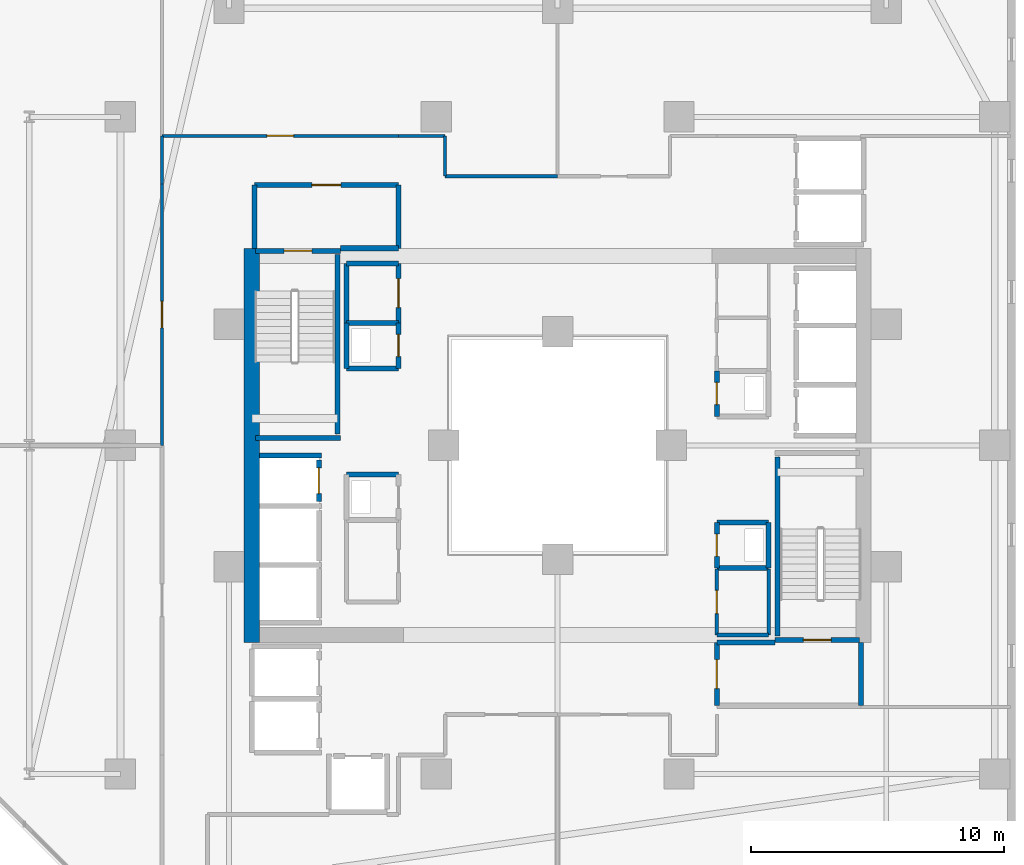
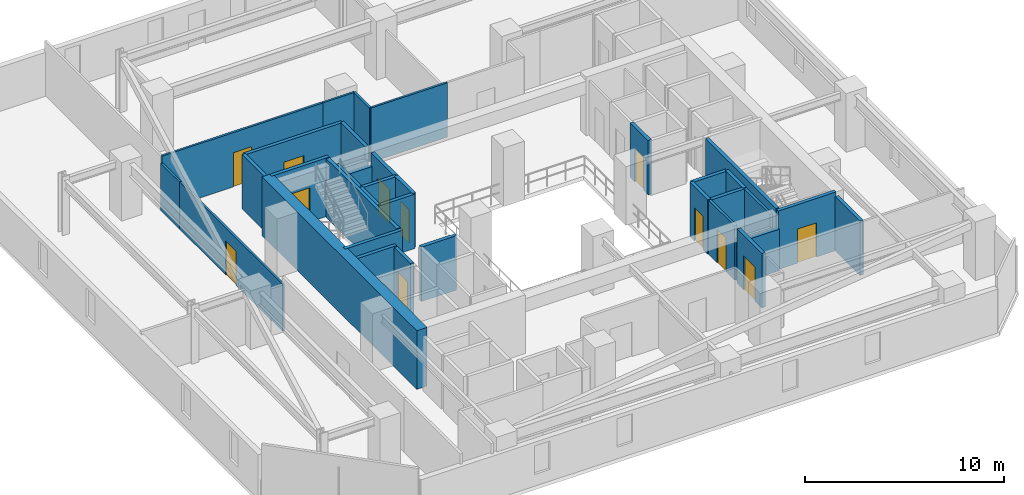
# One storey, part 21 of 30: 37 walls, 12 doors, 12 openings.
"""IFC4 building model written with IfcOpenShell, lengths in metres."""

from ifc_helpers import new_model, si_unit, direction, frame, frame_2d, origin, place, context, subcontext, project, spatial, rectangle, extrude, material, layer, layer_set, type_object, element, fill, save


model = new_model("IFC4")

# Units and contexts
model_context = context("Model", 3, precision=1e-05, world=origin(), true_north=direction((0.0, 1.0)))
body_context = subcontext(model_context, "Body", "Model", "MODEL_VIEW")
ifc_project = project(units=[si_unit("LENGTHUNIT", "METRE"), si_unit("AREAUNIT", "SQUARE_METRE"), si_unit("VOLUMEUNIT", "CUBIC_METRE"), si_unit("PLANEANGLEUNIT", "RADIAN"), si_unit("MASSUNIT", "GRAM", prefix="KILO")], contexts=[model_context])

# Site, building, storey
site_placement = place(None, origin())
site = spatial("IfcSite", under=ifc_project, at=site_placement, CompositionType="ELEMENT")
building_placement = place(site_placement, origin())
building = spatial("IfcBuilding", under=site, at=building_placement, Name="Thornwick Lancets Civic Towers", CompositionType="ELEMENT")
storey_placement = place(building_placement, frame((0.0, 0.0, 80.10009765625)))
storey = spatial("IfcBuildingStorey", under=building, at=storey_placement, Name="L20", CompositionType="ELEMENT", Elevation=80.10009765625)

# Wall, opening, door
ifc_material_1 = material(Name="Concrete blockwork C40/50", Category="masonry")
ifc_layer_1 = layer(ifc_material_1, 0.199951171875, Name="Concrete blockwork C40/50")
ifc_layer_set_1 = layer_set([ifc_layer_1], Name="Concrete blockwork C40/50")
wall_type_1 = type_object("IfcWallType", Name="WALL_COMP_200", PredefinedType="STANDARD", material=ifc_layer_set_1)
wall_1_placement = place(storey_placement, frame((79.050048828125, 24.780029296875, 0.0), z_axis=(0.0, 0.0, 1.0), x_axis=(0.0, 1.0, 0.0)))
wall_1 = element("IfcWall", 1, at=wall_1_placement, inside=storey, type_object=wall_type_1, Name="L20 Hoistway Front Wall FL-B2", PredefinedType="STANDARD", context=body_context, shape_type="SweptSolid", body=[
    extrude(rectangle(XDim=1.639892578125, YDim=0.199951171875, at=frame_2d((0.81982421875, 0.0))), origin(), (0.0, 0.0, 1.0), 3.33984375),
])
opening_1_placement = place(wall_1_placement, frame((0.31005859375, 0.0, 0.0)))
opening_1 = element("IfcOpeningElement", 2, at=opening_1_placement, cuts=wall_1, Name="Opening LD-FL-B2", PredefinedType="OPENING", context=body_context, shape_type="SweptSolid", body=[
    extrude(rectangle(XDim=1.02001953125, YDim=2.06005859375, at=frame_2d((0.510009765625, 1.030029296875))), frame((0.0, 0.10986328125, 0.0), z_axis=(0.0, -1.0, 0.0), x_axis=(1.0, 0.0, 0.0)), (0.0, 0.0, 1.0), 0.219970703125),
])
ifc_material_2 = material(Name="Brushed bronze stainless steel", Category="steel")
door_type_1 = type_object("IfcDoorType", Name="DOOR_LIFT_SLIDE", OperationType="SLIDING_TO_LEFT", PredefinedType="DOOR", material=ifc_material_2)
door_1_placement = place(opening_1_placement, origin())
door_1 = element("IfcDoor", 3, at=door_1_placement, inside=storey, type_object=door_type_1, Name="L20 Sliding Lift Landing Door LD-FL-B2", OperationType="SLIDING_TO_LEFT", OverallHeight=2.06005859375, OverallWidth=1.02001953125, PredefinedType="DOOR", context=body_context, shape_type="SweptSolid", body=[
    extrude(rectangle(XDim=1.02001953125, YDim=2.06005859375, at=frame_2d((0.510009765625, 1.030029296875))), frame((0.0, 0.02490234375, 0.0), z_axis=(0.0, -1.0, 0.0), x_axis=(1.0, 0.0, 0.0)), (0.0, 0.0, 1.0), 0.050048828125),
])
fill(opening_1, door_1)

# Walls
wall_2_placement = place(storey_placement, frame((76.7119140625, 26.60009765625, 0.0), z_axis=(0.0, 0.0, 1.0), x_axis=(1.0, 0.0, 0.0)))
element("IfcWall", 4, at=wall_2_placement, inside=storey, type_object=wall_type_1, Name="L20 Hoistway Shaft Wall FL-B2 N", PredefinedType="STANDARD", context=body_context, shape_type="SweptSolid", body=[
    extrude(rectangle(XDim=2.43603515625, YDim=0.199951171875, at=frame_2d((1.218017578125, 0.0))), origin(), (0.0, 0.0, 1.0), 3.33984375),
])
wall_3_placement = place(storey_placement, frame((100.5, 16.699951171875, 0.0), z_axis=(0.0, 0.0, 1.0), x_axis=(0.0, 1.0, 0.0)))
element("IfcWall", 5, at=wall_3_placement, inside=storey, type_object=wall_type_1, Name="L20 Partition L20-B-FFLOB1 E2", PredefinedType="STANDARD", context=body_context, shape_type="SweptSolid", body=[
    extrude(rectangle(XDim=2.5, YDim=0.199951171875, at=frame_2d((1.25, 0.0))), origin(), (0.0, 0.0, 1.0), 3.33984375),
])
wall_4_placement = place(storey_placement, frame((97.10009765625, 19.199951171875, 0.0), z_axis=(0.0, 0.0, 1.0), x_axis=(-1.0, 0.0, 0.0)))
element("IfcWall", 6, at=wall_4_placement, inside=storey, type_object=wall_type_1, Name="L20 Partition L20-B-FFLOB1 E3", PredefinedType="STANDARD", context=body_context, shape_type="SweptSolid", body=[
    extrude(rectangle(XDim=2.300048828125, YDim=0.199951171875, at=frame_2d((1.14990234375, 0.0))), origin(), (0.0, 0.0, 1.0), 2.544921875),
])

# Wall, opening, door
wall_5_placement = place(storey_placement, frame((94.800048828125, 19.199951171875, 0.0), z_axis=(0.0, 0.0, 1.0), x_axis=(0.0, -1.0, 0.0)))
wall_5 = element("IfcWall", 7, at=wall_5_placement, inside=storey, type_object=wall_type_1, Name="L20 Partition L20-B-FFLOB1 E4", PredefinedType="STANDARD", context=body_context, shape_type="SweptSolid", body=[
    extrude(rectangle(XDim=2.5, YDim=0.199951171875, at=frame_2d((1.25, 0.0))), origin(), (0.0, 0.0, 1.0), 3.33984375),
])
opening_2_placement = place(wall_5_placement, frame((0.675048828125, 0.0, 0.0)))
opening_2 = element("IfcOpeningElement", 8, at=opening_2_placement, cuts=wall_5, Name="Opening D-L20-0942", PredefinedType="OPENING", context=body_context, shape_type="SweptSolid", body=[
    extrude(rectangle(XDim=1.14990234375, YDim=2.10009765625, at=frame_2d((0.574951171875, 1.050048828125))), frame((0.0, 0.10986328125, 0.0), z_axis=(0.0, -1.0, 0.0), x_axis=(1.0, 0.0, 0.0)), (0.0, 0.0, 1.0), 0.219970703125),
])
ifc_material_3 = material(Name="Glazed fire-resisting steel", Category="steel")
door_type_2 = type_object("IfcDoorType", Name="DOOR_LOBBY_FD60", OperationType="NOTDEFINED", PredefinedType="DOOR", material=ifc_material_3)
door_2_placement = place(opening_2_placement, origin())
door_2 = element("IfcDoor", 9, at=door_2_placement, inside=storey, type_object=door_type_2, Name="L20 East Firefighting Lobby 1 Door", OperationType="SINGLE_SWING_LEFT", OverallHeight=2.10009765625, OverallWidth=1.14990234375, PredefinedType="DOOR", context=body_context, shape_type="SweptSolid", body=[
    extrude(rectangle(XDim=1.14990234375, YDim=2.10009765625, at=frame_2d((0.574951171875, 1.050048828125))), frame((0.0, 0.02490234375, 0.0), z_axis=(0.0, -1.0, 0.0), x_axis=(1.0, 0.0, 0.0)), (0.0, 0.0, 1.0), 0.050048828125),
])
fill(opening_2, door_2)

# Walls
wall_6_placement = place(storey_placement, frame((79.89990234375, 34.800048828125, 0.0), z_axis=(0.0, 0.0, 1.0), x_axis=(1.0, 0.0, 0.0)))
element("IfcWall", 10, at=wall_6_placement, inside=storey, type_object=wall_type_1, Name="L20 Partition L20-B-FFLOB2 E1", PredefinedType="STANDARD", context=body_context, shape_type="SweptSolid", body=[
    extrude(rectangle(XDim=2.300048828125, YDim=0.199951171875, at=frame_2d((1.14990234375, 0.0))), origin(), (0.0, 0.0, 1.0), 2.544921875),
])
wall_7_placement = place(storey_placement, frame((82.199951171875, 34.800048828125, 0.0), z_axis=(0.0, 0.0, 1.0), x_axis=(0.0, 1.0, 0.0)))
element("IfcWall", 11, at=wall_7_placement, inside=storey, type_object=wall_type_1, Name="L20 Partition L20-B-FFLOB2 E2", PredefinedType="STANDARD", context=body_context, shape_type="SweptSolid", body=[
    extrude(rectangle(XDim=2.5, YDim=0.199951171875, at=frame_2d((1.25, 0.0))), origin(), (0.0, 0.0, 1.0), 3.33984375),
])

# Wall, opening, door
wall_8_placement = place(storey_placement, frame((82.199951171875, 37.300048828125, 0.0), z_axis=(0.0, 0.0, 1.0), x_axis=(-1.0, 0.0, 0.0)))
wall_8 = element("IfcWall", 12, at=wall_8_placement, inside=storey, type_object=wall_type_1, Name="L20 Partition L20-B-FFLOB2 E3", PredefinedType="STANDARD", context=body_context, shape_type="SweptSolid", body=[
    extrude(rectangle(XDim=5.699951171875, YDim=0.199951171875, at=frame_2d((2.85009765625, 0.0))), origin(), (0.0, 0.0, 1.0), 3.33984375),
])
opening_3_placement = place(wall_8_placement, frame((2.27490234375, 0.0, 0.0)))
opening_3 = element("IfcOpeningElement", 13, at=opening_3_placement, cuts=wall_8, Name="Opening D-L20-0943", PredefinedType="OPENING", context=body_context, shape_type="SweptSolid", body=[
    extrude(rectangle(XDim=1.14990234375, YDim=2.10009765625, at=frame_2d((0.574951171875, 1.050048828125))), frame((0.0, 0.10986328125, 0.0), z_axis=(0.0, -1.0, 0.0), x_axis=(1.0, 0.0, 0.0)), (0.0, 0.0, 1.0), 0.219970703125),
])
door_3_placement = place(opening_3_placement, origin())
door_3 = element("IfcDoor", 14, at=door_3_placement, inside=storey, type_object=door_type_2, Name="L20 West Firefighting Lobby 2 Door", OperationType="SINGLE_SWING_RIGHT", OverallHeight=2.10009765625, OverallWidth=1.14990234375, PredefinedType="DOOR", context=body_context, shape_type="SweptSolid", body=[
    extrude(rectangle(XDim=1.14990234375, YDim=2.10009765625, at=frame_2d((0.574951171875, 1.050048828125))), frame((0.0, 0.02490234375, 0.0), z_axis=(0.0, -1.0, 0.0), x_axis=(1.0, 0.0, 0.0)), (0.0, 0.0, 1.0), 0.050048828125),
])
fill(opening_3, door_3)

# Wall
wall_9_placement = place(storey_placement, frame((76.5, 37.300048828125, 0.0), z_axis=(0.0, 0.0, 1.0), x_axis=(0.0, -1.0, 0.0)))
element("IfcWall", 15, at=wall_9_placement, inside=storey, type_object=wall_type_1, Name="L20 Partition L20-B-FFLOB2 E4", PredefinedType="STANDARD", context=body_context, shape_type="SweptSolid", body=[
    extrude(rectangle(XDim=2.5, YDim=0.199951171875, at=frame_2d((1.25, 0.0))), origin(), (0.0, 0.0, 1.0), 3.33984375),
])

# Wall, opening, door
wall_10_placement = place(storey_placement, frame((94.800048828125, 29.949951171875, 0.0), z_axis=(0.0, 0.0, 1.0), x_axis=(0.0, -1.0, 0.0)))
wall_10 = element("IfcWall", 16, at=wall_10_placement, inside=storey, type_object=wall_type_1, Name="L20 Partition L20-B-DUCT1 E4", PredefinedType="STANDARD", context=body_context, shape_type="SweptSolid", body=[
    extrude(rectangle(XDim=1.800048828125, YDim=0.199951171875, at=frame_2d((0.89990234375, 0.0))), origin(), (0.0, 0.0, 1.0), 3.33984375),
])
opening_4_placement = place(wall_10_placement, frame((0.4599609375, 0.0, 0.0)))
opening_4 = element("IfcOpeningElement", 17, at=opening_4_placement, cuts=wall_10, Name="Opening D-L20-0944", PredefinedType="OPENING", context=body_context, shape_type="SweptSolid", body=[
    extrude(rectangle(XDim=0.8798828125, YDim=2.0400390625, at=frame_2d((0.43994140625, 1.02001953125))), frame((0.0, 0.10986328125, 0.0), z_axis=(0.0, -1.0, 0.0), x_axis=(1.0, 0.0, 0.0)), (0.0, 0.0, 1.0), 0.219970703125),
])
ifc_material_4 = material(Name="Steel riser access doorset", Category="steel")
door_type_3 = type_object("IfcDoorType", Name="DOOR_RISER_850", OperationType="NOTDEFINED", PredefinedType="DOOR", material=ifc_material_4)
door_4_placement = place(opening_4_placement, origin())
door_4 = element("IfcDoor", 18, at=door_4_placement, inside=storey, type_object=door_type_3, Name="L20 East Service Duct 1 Door", OperationType="SINGLE_SWING_LEFT", OverallHeight=2.0400390625, OverallWidth=0.8798828125, PredefinedType="DOOR", context=body_context, shape_type="SweptSolid", body=[
    extrude(rectangle(XDim=0.8798828125, YDim=2.0400390625, at=frame_2d((0.43994140625, 1.02001953125))), frame((0.0, 0.02490234375, 0.0), z_axis=(0.0, -1.0, 0.0), x_axis=(1.0, 0.0, 0.0)), (0.0, 0.0, 1.0), 0.050048828125),
])
fill(opening_4, door_4)

# Walls
wall_11_placement = place(storey_placement, frame((94.800048828125, 22.14990234375, 0.0), z_axis=(0.0, 0.0, 1.0), x_axis=(1.0, 0.0, 0.0)))
element("IfcWall", 19, at=wall_11_placement, inside=storey, type_object=wall_type_1, Name="L20 Partition L20-B-RISER1 E1", PredefinedType="STANDARD", context=body_context, shape_type="SweptSolid", body=[
    extrude(rectangle(XDim=2.050048828125, YDim=0.199951171875, at=frame_2d((1.02490234375, 0.0))), origin(), (0.0, 0.0, 1.0), 3.33984375),
])
wall_12_placement = place(storey_placement, frame((96.85009765625, 22.14990234375, 0.0), z_axis=(0.0, 0.0, 1.0), x_axis=(0.0, 1.0, 0.0)))
element("IfcWall", 20, at=wall_12_placement, inside=storey, type_object=wall_type_1, Name="L20 Partition L20-B-RISER1 E2", PredefinedType="STANDARD", context=body_context, shape_type="SweptSolid", body=[
    extrude(rectangle(XDim=1.800048828125, YDim=0.199951171875, at=frame_2d((0.89990234375, 0.0))), origin(), (0.0, 0.0, 1.0), 3.33984375),
])
wall_13_placement = place(storey_placement, frame((96.85009765625, 23.949951171875, 0.0), z_axis=(0.0, 0.0, 1.0), x_axis=(-1.0, 0.0, 0.0)))
element("IfcWall", 21, at=wall_13_placement, inside=storey, type_object=wall_type_1, Name="L20 Partition L20-B-RISER1 E3", PredefinedType="STANDARD", context=body_context, shape_type="SweptSolid", body=[
    extrude(rectangle(XDim=2.050048828125, YDim=0.199951171875, at=frame_2d((1.02490234375, 0.0))), origin(), (0.0, 0.0, 1.0), 3.33984375),
])

# Wall, opening, door
wall_14_placement = place(storey_placement, frame((94.800048828125, 23.949951171875, 0.0), z_axis=(0.0, 0.0, 1.0), x_axis=(0.0, -1.0, 0.0)))
wall_14 = element("IfcWall", 22, at=wall_14_placement, inside=storey, type_object=wall_type_1, Name="L20 Partition L20-B-RISER1 E4", PredefinedType="STANDARD", context=body_context, shape_type="SweptSolid", body=[
    extrude(rectangle(XDim=1.800048828125, YDim=0.199951171875, at=frame_2d((0.89990234375, 0.0))), origin(), (0.0, 0.0, 1.0), 3.33984375),
])
opening_5_placement = place(wall_14_placement, frame((0.4599609375, 0.0, 0.0)))
opening_5 = element("IfcOpeningElement", 23, at=opening_5_placement, cuts=wall_14, Name="Opening D-L20-0945", PredefinedType="OPENING", context=body_context, shape_type="SweptSolid", body=[
    extrude(rectangle(XDim=0.8798828125, YDim=2.0400390625, at=frame_2d((0.43994140625, 1.02001953125))), frame((0.0, 0.10986328125, 0.0), z_axis=(0.0, -1.0, 0.0), x_axis=(1.0, 0.0, 0.0)), (0.0, 0.0, 1.0), 0.219970703125),
])
door_5_placement = place(opening_5_placement, origin())
door_5 = element("IfcDoor", 24, at=door_5_placement, inside=storey, type_object=door_type_3, Name="L20 East Electrical Riser 1 Door", OperationType="SINGLE_SWING_RIGHT", OverallHeight=2.0400390625, OverallWidth=0.8798828125, PredefinedType="DOOR", context=body_context, shape_type="SweptSolid", body=[
    extrude(rectangle(XDim=0.8798828125, YDim=2.0400390625, at=frame_2d((0.43994140625, 1.02001953125))), frame((0.0, 0.02490234375, 0.0), z_axis=(0.0, -1.0, 0.0), x_axis=(1.0, 0.0, 0.0)), (0.0, 0.0, 1.0), 0.050048828125),
])
fill(opening_5, door_5)

# Walls
for number, where, z_axis, x_axis, name in (
    (25, (82.199951171875, 25.85009765625, 0.0), (0.0, 0.0, 1.0), (-1.0, 0.0, 0.0), "L20 Partition L20-B-DUCT2 E3"),
    (26, (80.14990234375, 30.050048828125, 0.0), (0.0, 0.0, 1.0), (1.0, 0.0, 0.0), "L20 Partition L20-B-RISER2 E1"),
):
    element("IfcWall", number, at=place(storey_placement, frame(where, z_axis=z_axis, x_axis=x_axis)), inside=storey, type_object=wall_type_1, Name=name, PredefinedType="STANDARD", context=body_context, shape_type="SweptSolid", body=[
        extrude(rectangle(XDim=2.050048828125, YDim=0.199951171875, at=frame_2d((1.02490234375, 0.0))), origin(), (0.0, 0.0, 1.0), 3.33984375),
    ])

# Wall, opening, door
wall_15_placement = place(storey_placement, frame((82.199951171875, 30.050048828125, 0.0), z_axis=(0.0, 0.0, 1.0), x_axis=(0.0, 1.0, 0.0)))
wall_15 = element("IfcWall", 27, at=wall_15_placement, inside=storey, type_object=wall_type_1, Name="L20 Partition L20-B-RISER2 E2", PredefinedType="STANDARD", context=body_context, shape_type="SweptSolid", body=[
    extrude(rectangle(XDim=1.800048828125, YDim=0.199951171875, at=frame_2d((0.89990234375, 0.0))), origin(), (0.0, 0.0, 1.0), 3.33984375),
])
opening_6_placement = place(wall_15_placement, frame((0.4599609375, 0.0, 0.0)))
opening_6 = element("IfcOpeningElement", 28, at=opening_6_placement, cuts=wall_15, Name="Opening D-L20-0947", PredefinedType="OPENING", context=body_context, shape_type="SweptSolid", body=[
    extrude(rectangle(XDim=0.8798828125, YDim=2.0400390625, at=frame_2d((0.43994140625, 1.02001953125))), frame((0.0, 0.10986328125, 0.0), z_axis=(0.0, -1.0, 0.0), x_axis=(1.0, 0.0, 0.0)), (0.0, 0.0, 1.0), 0.219970703125),
])
door_6_placement = place(opening_6_placement, origin())
door_6 = element("IfcDoor", 29, at=door_6_placement, inside=storey, type_object=door_type_3, Name="L20 West Service Riser 2 Door", OperationType="SINGLE_SWING_RIGHT", OverallHeight=2.0400390625, OverallWidth=0.8798828125, PredefinedType="DOOR", context=body_context, shape_type="SweptSolid", body=[
    extrude(rectangle(XDim=0.8798828125, YDim=2.0400390625, at=frame_2d((0.43994140625, 1.02001953125))), frame((0.0, 0.02490234375, 0.0), z_axis=(0.0, -1.0, 0.0), x_axis=(1.0, 0.0, 0.0)), (0.0, 0.0, 1.0), 0.050048828125),
])
fill(opening_6, door_6)

# Walls
wall_16_placement = place(storey_placement, frame((82.199951171875, 31.85009765625, 0.0), z_axis=(0.0, 0.0, 1.0), x_axis=(-1.0, 0.0, 0.0)))
element("IfcWall", 30, at=wall_16_placement, inside=storey, type_object=wall_type_1, Name="L20 Partition L20-B-RISER2 E3", PredefinedType="STANDARD", context=body_context, shape_type="SweptSolid", body=[
    extrude(rectangle(XDim=2.050048828125, YDim=0.199951171875, at=frame_2d((1.02490234375, 0.0))), origin(), (0.0, 0.0, 1.0), 3.33984375),
])
wall_17_placement = place(storey_placement, frame((80.14990234375, 31.85009765625, 0.0), z_axis=(0.0, 0.0, 1.0), x_axis=(0.0, -1.0, 0.0)))
element("IfcWall", 31, at=wall_17_placement, inside=storey, type_object=wall_type_1, Name="L20 Partition L20-B-RISER2 E4", PredefinedType="STANDARD", context=body_context, shape_type="SweptSolid", body=[
    extrude(rectangle(XDim=1.800048828125, YDim=0.199951171875, at=frame_2d((0.89990234375, 0.0))), origin(), (0.0, 0.0, 1.0), 3.33984375),
])
wall_18_placement = place(storey_placement, frame((80.14990234375, 31.85009765625, 0.0), z_axis=(0.0, 0.0, 1.0), x_axis=(0.0, 1.0, 0.0)))
element("IfcWall", 32, at=wall_18_placement, inside=storey, type_object=wall_type_1, Name="L20 Partition L20-B-STR E1", PredefinedType="STANDARD", context=body_context, shape_type="SweptSolid", body=[
    extrude(rectangle(XDim=2.349853515625, YDim=0.199951171875, at=frame_2d((1.1748046875, 0.0))), origin(), (0.0, 0.0, 1.0), 3.33984375),
])
wall_19_placement = place(storey_placement, frame((80.14990234375, 34.199951171875, 0.0), z_axis=(0.0, 0.0, 1.0), x_axis=(1.0, 0.0, 0.0)))
element("IfcWall", 33, at=wall_19_placement, inside=storey, type_object=wall_type_1, Name="L20 Partition L20-B-STR E2", PredefinedType="STANDARD", context=body_context, shape_type="SweptSolid", body=[
    extrude(rectangle(XDim=2.050048828125, YDim=0.199951171875, at=frame_2d((1.02490234375, 0.0))), origin(), (0.0, 0.0, 1.0), 2.544921875),
])

# Wall, opening, door
wall_20_placement = place(storey_placement, frame((82.199951171875, 34.199951171875, 0.0), z_axis=(0.0, 0.0, 1.0), x_axis=(0.0, -1.0, 0.0)))
wall_20 = element("IfcWall", 34, at=wall_20_placement, inside=storey, type_object=wall_type_1, Name="L20 Partition L20-B-STR E3", PredefinedType="STANDARD", context=body_context, shape_type="SweptSolid", body=[
    extrude(rectangle(XDim=2.349853515625, YDim=0.199951171875, at=frame_2d((1.1748046875, 0.0))), origin(), (0.0, 0.0, 1.0), 3.33984375),
])
opening_7_placement = place(wall_20_placement, frame((0.60009765625, 0.0, 0.0)))
opening_7 = element("IfcOpeningElement", 35, at=opening_7_placement, cuts=wall_20, Name="Opening D-L20-0952", PredefinedType="OPENING", context=body_context, shape_type="SweptSolid", body=[
    extrude(rectangle(XDim=1.14990234375, YDim=2.10009765625, at=frame_2d((0.574951171875, 1.050048828125))), frame((0.0, 0.10986328125, 0.0), z_axis=(0.0, -1.0, 0.0), x_axis=(1.0, 0.0, 0.0)), (0.0, 0.0, 1.0), 0.219970703125),
])
door_7_placement = place(opening_7_placement, origin())
door_7 = element("IfcDoor", 36, at=door_7_placement, inside=storey, type_object=door_type_2, Name="L20 Tower B Core Equipment Store Door", OperationType="SINGLE_SWING_LEFT", OverallHeight=2.10009765625, OverallWidth=1.14990234375, PredefinedType="DOOR", context=body_context, shape_type="SweptSolid", body=[
    extrude(rectangle(XDim=1.14990234375, YDim=2.10009765625, at=frame_2d((0.574951171875, 1.050048828125))), frame((0.0, 0.02490234375, 0.0), z_axis=(0.0, -1.0, 0.0), x_axis=(1.0, 0.0, 0.0)), (0.0, 0.0, 1.0), 0.050048828125),
])
fill(opening_7, door_7)

# Walls
ifc_material_5 = material(Name="Concrete C60/75", Category="concrete")
ifc_layer_2 = layer(ifc_material_5, 0.60009765625, Name="Concrete C60/75")
ifc_layer_set_2 = layer_set([ifc_layer_2], Name="Concrete C60/75")
wall_type_2 = type_object("IfcWallType", Name="WALL_CORE_600", PredefinedType="SHEAR", material=ifc_layer_set_2)
wall_21_placement = place(storey_placement, frame((76.39990234375, 19.199951171875, 0.0), z_axis=(0.0, 0.0, 1.0), x_axis=(0.0, 1.0, 0.0)))
element("IfcWall", 37, at=wall_21_placement, inside=storey, type_object=wall_type_2, Name="L20 Split Core B2 Shear Wall W", PredefinedType="SHEAR", context=body_context, shape_type="SweptSolid", body=[
    extrude(rectangle(XDim=15.60009765625, YDim=0.60009765625, at=frame_2d((7.800048828125, 0.0))), origin(), (0.0, 0.0, 1.0), 3.599853515625),
])
ifc_material_6 = material(Name="Acoustic gypsum board partition")
ifc_layer_3 = layer(ifc_material_6, 0.1201171875, Name="Acoustic gypsum board partition")
ifc_layer_set_3 = layer_set([ifc_layer_3], Name="Acoustic gypsum board partition")
wall_type_3 = type_object("IfcWallType", Name="WALL_PART_120", PredefinedType="PARTITIONING", material=ifc_layer_set_3)
wall_22_placement = place(storey_placement, frame((84.050048828125, 37.64990234375, 0.0), z_axis=(0.0, 0.0, 1.0), x_axis=(0.0, 1.0, 0.0)))
element("IfcWall", 38, at=wall_22_placement, inside=storey, type_object=wall_type_3, Name="L20 Partition L20-B-E2 E1", PredefinedType="PARTITIONING", context=body_context, shape_type="SweptSolid", body=[
    extrude(rectangle(XDim=1.60009765625, YDim=0.1201171875, at=frame_2d((0.800048828125, 0.0))), origin(), (0.0, 0.0, 1.0), 3.33984375),
])
wall_23_placement = place(storey_placement, frame((84.050048828125, 39.25, 0.0), z_axis=(0.0, 0.0, 1.0), x_axis=(-1.0, 0.0, 0.0)))
element("IfcWall", 39, at=wall_23_placement, inside=storey, type_object=wall_type_3, Name="L20 Partition L20-B-E2 E2", PredefinedType="PARTITIONING", context=body_context, shape_type="SweptSolid", body=[
    extrude(rectangle(XDim=1.85009765625, YDim=0.1201171875, at=frame_2d((0.925048828125, 0.0))), origin(), (0.0, 0.0, 1.0), 3.33984375),
])

# Wall, opening, door
wall_24_placement = place(storey_placement, frame((82.199951171875, 39.25, 0.0), z_axis=(0.0, 0.0, 1.0), x_axis=(-1.0, 0.0, 0.0)))
wall_24 = element("IfcWall", 40, at=wall_24_placement, inside=storey, type_object=wall_type_3, Name="L20 Partition L20-B-E2 E3", PredefinedType="PARTITIONING", context=body_context, shape_type="SweptSolid", body=[
    extrude(rectangle(XDim=9.349853515625, YDim=0.1201171875, at=frame_2d((4.6748046875, 0.0))), origin(), (0.0, 0.0, 1.0), 3.33984375),
])
opening_8_placement = place(wall_24_placement, frame((4.14990234375, 0.0, 0.0)))
opening_8 = element("IfcOpeningElement", 41, at=opening_8_placement, cuts=wall_24, Name="Opening D-L20-0962", PredefinedType="OPENING", context=body_context, shape_type="SweptSolid", body=[
    extrude(rectangle(XDim=1.050048828125, YDim=2.10009765625, at=frame_2d((0.52490234375, 1.050048828125))), frame((0.0, 0.070068359375, 0.0), z_axis=(0.0, -1.0, 0.0), x_axis=(1.0, 0.0, 0.0)), (0.0, 0.0, 1.0), 0.14013671875),
])
ifc_material_7 = material(Name="Glazed European oak executive doorset")
door_type_4 = type_object("IfcDoorType", Name="DOOR_OFFICE_1050", OperationType="NOTDEFINED", PredefinedType="DOOR", material=ifc_material_7)
door_8_placement = place(opening_8_placement, origin())
door_8 = element("IfcDoor", 42, at=door_8_placement, inside=storey, type_object=door_type_4, Name="L20 Tower B Visitors Reception and Waiting Door", OperationType="SINGLE_SWING_LEFT", OverallHeight=2.10009765625, OverallWidth=1.050048828125, PredefinedType="DOOR", context=body_context, shape_type="SweptSolid", body=[
    extrude(rectangle(XDim=1.050048828125, YDim=2.10009765625, at=frame_2d((0.52490234375, 1.050048828125))), frame((0.0, 0.02490234375, 0.0), z_axis=(0.0, -1.0, 0.0), x_axis=(1.0, 0.0, 0.0)), (0.0, 0.0, 1.0), 0.050048828125),
])
fill(opening_8, door_8)

# Walls
wall_25_placement = place(storey_placement, frame((88.5, 37.64990234375, 0.0), z_axis=(0.0, 0.0, 1.0), x_axis=(-1.0, 0.0, 0.0)))
element("IfcWall", 43, at=wall_25_placement, inside=storey, type_object=wall_type_3, Name="L20 Partition L20-B-E2 E7", PredefinedType="PARTITIONING", context=body_context, shape_type="SweptSolid", body=[
    extrude(rectangle(XDim=4.449951171875, YDim=0.1201171875, at=frame_2d((2.22509765625, 0.0))), origin(), (0.0, 0.0, 1.0), 3.33984375),
])
wall_26_placement = place(storey_placement, frame((72.85009765625, 39.25, 0.0), z_axis=(0.0, 0.0, 1.0), x_axis=(0.0, -1.0, 0.0)))
element("IfcWall", 44, at=wall_26_placement, inside=storey, type_object=wall_type_3, Name="L20 Partition L20-B-N-OFF E5", PredefinedType="PARTITIONING", context=body_context, shape_type="SweptSolid", body=[
    extrude(rectangle(XDim=1.89990234375, YDim=0.1201171875, at=frame_2d((0.949951171875, 0.0))), origin(), (0.0, 0.0, 1.0), 2.89501953125),
])

# Wall, opening, door
wall_27_placement = place(storey_placement, frame((72.85009765625, 37.35009765625, 0.0), z_axis=(0.0, 0.0, 1.0), x_axis=(0.0, -1.0, 0.0)))
wall_27 = element("IfcWall", 45, at=wall_27_placement, inside=storey, type_object=wall_type_3, Name="L20 Partition L20-B-N-OFF E6", PredefinedType="PARTITIONING", context=body_context, shape_type="SweptSolid", body=[
    extrude(rectangle(XDim=10.35009765625, YDim=0.1201171875, at=frame_2d((5.175048828125, 0.0))), origin(), (0.0, 0.0, 1.0), 2.89501953125),
])
opening_9_placement = place(wall_27_placement, frame((4.64990234375, 0.0, 0.0)))
opening_9 = element("IfcOpeningElement", 46, at=opening_9_placement, cuts=wall_27, Name="Opening D-L20-0964", PredefinedType="OPENING", context=body_context, shape_type="SweptSolid", body=[
    extrude(rectangle(XDim=1.050048828125, YDim=2.10009765625, at=frame_2d((0.52490234375, 1.050048828125))), frame((0.0, 0.070068359375, 0.0), z_axis=(0.0, -1.0, 0.0), x_axis=(1.0, 0.0, 0.0)), (0.0, 0.0, 1.0), 0.14013671875),
])
door_9_placement = place(opening_9_placement, origin())
door_9 = element("IfcDoor", 47, at=door_9_placement, inside=storey, type_object=door_type_4, Name="L20 Tower B North Policy Office Door", OperationType="SINGLE_SWING_LEFT", OverallHeight=2.10009765625, OverallWidth=1.050048828125, PredefinedType="DOOR", context=body_context, shape_type="SweptSolid", body=[
    extrude(rectangle(XDim=1.050048828125, YDim=2.10009765625, at=frame_2d((0.52490234375, 1.050048828125))), frame((0.0, 0.02490234375, 0.0), z_axis=(0.0, -1.0, 0.0), x_axis=(1.0, 0.0, 0.0)), (0.0, 0.0, 1.0), 0.050048828125),
])
fill(opening_9, door_9)

# Walls
ifc_material_8 = material(Name="Twin-stud acoustic gypsum board")
ifc_layer_4 = layer(ifc_material_8, 0.14990234375, Name="Twin-stud acoustic gypsum board")
ifc_layer_set_4 = layer_set([ifc_layer_4], Name="Twin-stud acoustic gypsum board")
wall_type_4 = type_object("IfcWallType", Name="WALL_PART_150", PredefinedType="PARTITIONING", material=ifc_layer_set_4)
wall_28_placement = place(storey_placement, frame((94.800048828125, 19.5, 0.0), z_axis=(0.0, 0.0, 1.0), x_axis=(1.0, 0.0, 0.0)))
element("IfcWall", 48, at=wall_28_placement, inside=storey, type_object=wall_type_4, Name="L20 Partition L20-B-AWC E1", PredefinedType="PARTITIONING", context=body_context, shape_type="SweptSolid", body=[
    extrude(rectangle(XDim=2.050048828125, YDim=0.14990234375, at=frame_2d((1.02490234375, 0.0))), origin(), (0.0, 0.0, 1.0), 2.544921875),
])
wall_29_placement = place(storey_placement, frame((96.85009765625, 19.5, 0.0), z_axis=(0.0, 0.0, 1.0), x_axis=(0.0, 1.0, 0.0)))
element("IfcWall", 49, at=wall_29_placement, inside=storey, type_object=wall_type_4, Name="L20 Partition L20-B-AWC E2", PredefinedType="PARTITIONING", context=body_context, shape_type="SweptSolid", body=[
    extrude(rectangle(XDim=2.60009765625, YDim=0.14990234375, at=frame_2d((1.300048828125, 0.0))), origin(), (0.0, 0.0, 1.0), 3.33984375),
])

# Wall, opening, door
wall_30_placement = place(storey_placement, frame((94.800048828125, 22.10009765625, 0.0), z_axis=(0.0, 0.0, 1.0), x_axis=(0.0, -1.0, 0.0)))
wall_30 = element("IfcWall", 50, at=wall_30_placement, inside=storey, type_object=wall_type_4, Name="L20 Partition L20-B-AWC E4", PredefinedType="PARTITIONING", context=body_context, shape_type="SweptSolid", body=[
    extrude(rectangle(XDim=2.60009765625, YDim=0.14990234375, at=frame_2d((1.300048828125, 0.0))), origin(), (0.0, 0.0, 1.0), 3.33984375),
])
opening_10_placement = place(wall_30_placement, frame((0.840087890625, 0.0, 0.0)))
opening_10 = element("IfcOpeningElement", 51, at=opening_10_placement, cuts=wall_30, Name="Opening D-L20-0948", PredefinedType="OPENING", context=body_context, shape_type="SweptSolid", body=[
    extrude(rectangle(XDim=0.919921875, YDim=2.080078125, at=frame_2d((0.4599609375, 1.0400390625))), frame((0.0, 0.0849609375, 0.0), z_axis=(0.0, -1.0, 0.0), x_axis=(1.0, 0.0, 0.0)), (0.0, 0.0, 1.0), 0.169921875),
])
ifc_material_9 = material(Name="Moisture-resistant oak doorset")
door_type_5 = type_object("IfcDoorType", Name="DOOR_WC_900", OperationType="NOTDEFINED", PredefinedType="DOOR", material=ifc_material_9)
door_10_placement = place(opening_10_placement, origin())
door_10 = element("IfcDoor", 52, at=door_10_placement, inside=storey, type_object=door_type_5, Name="L20 Tower B Accessible WC Door", OperationType="SINGLE_SWING_LEFT", OverallHeight=2.080078125, OverallWidth=0.919921875, PredefinedType="DOOR", context=body_context, shape_type="SweptSolid", body=[
    extrude(rectangle(XDim=0.919921875, YDim=2.080078125, at=frame_2d((0.4599609375, 1.0400390625))), frame((0.0, 0.02490234375, 0.0), z_axis=(0.0, -1.0, 0.0), x_axis=(1.0, 0.0, 0.0)), (0.0, 0.0, 1.0), 0.050048828125),
])
fill(opening_10, door_10)

ifc_material_10 = material(Name="Concrete C40/50", Category="concrete")
ifc_layer_5 = layer(ifc_material_10, 0.199951171875, Name="Concrete C40/50")
ifc_layer_set_5 = layer_set([ifc_layer_5], Name="Concrete C40/50")
wall_type_5 = type_object("IfcWallType", Name="WALL_SHAFT_200", PredefinedType="SHEAR", material=ifc_layer_set_5)
wall_31_placement = place(storey_placement, frame((100.449951171875, 19.300048828125, 0.0), z_axis=(0.0, 0.0, 1.0), x_axis=(-1.0, 0.0, 0.0)))
wall_31 = element("IfcWall", 53, at=wall_31_placement, inside=storey, type_object=wall_type_5, Name="L20 ST-B1 Fire Stair Core Wall NEAR", PredefinedType="SHEAR", context=body_context, shape_type="SweptSolid", body=[
    extrude(rectangle(XDim=3.349853515625, YDim=0.199951171875, at=frame_2d((1.6748046875, 0.0))), origin(), (0.0, 0.0, 1.0), 3.599853515625),
])
opening_11_placement = place(wall_31_placement, frame((1.125, 0.0, 0.0)))
opening_11 = element("IfcOpeningElement", 54, at=opening_11_placement, cuts=wall_31, Name="Opening D-ST-B1-L20", PredefinedType="OPENING", context=body_context, shape_type="SweptSolid", body=[
    extrude(rectangle(XDim=1.10009765625, YDim=2.10009765625, at=frame_2d((0.550048828125, 1.050048828125))), frame((0.0, 0.10986328125, 0.0), z_axis=(0.0, -1.0, 0.0), x_axis=(1.0, 0.0, 0.0)), (0.0, 0.0, 1.0), 0.219970703125),
])
ifc_material_11 = material(Name="Fire-resisting steel and hardwood", Category="steel")
door_type_6 = type_object("IfcDoorType", Name="DOOR_STAIR_FD60", OperationType="NOTDEFINED", PredefinedType="DOOR", material=ifc_material_11)
door_11_placement = place(opening_11_placement, origin())
door_11 = element("IfcDoor", 55, at=door_11_placement, inside=storey, type_object=door_type_6, Name="L20 ST-B1 Exit Stair Door", OperationType="SINGLE_SWING_RIGHT", OverallHeight=2.10009765625, OverallWidth=1.10009765625, PredefinedType="DOOR", context=body_context, shape_type="SweptSolid", body=[
    extrude(rectangle(XDim=1.10009765625, YDim=2.10009765625, at=frame_2d((0.550048828125, 1.050048828125))), frame((0.0, 0.02490234375, 0.0), z_axis=(0.0, -1.0, 0.0), x_axis=(1.0, 0.0, 0.0)), (0.0, 0.0, 1.0), 0.050048828125),
])
fill(opening_11, door_11)

# Wall
wall_32_placement = place(storey_placement, frame((97.202880859375, 26.550048828125, 0.0), z_axis=(0.0, 0.0, 1.0), x_axis=(0.0, -1.0, 0.0)))
element("IfcWall", 56, at=wall_32_placement, inside=storey, type_object=wall_type_5, Name="L20 ST-B1 Fire Stair Core Wall RIGHT", PredefinedType="SHEAR", context=body_context, shape_type="SweptSolid", body=[
    extrude(rectangle(XDim=7.10009765625, YDim=0.199951171875, at=frame_2d((3.550048828125, 0.0))), origin(), (0.0, 0.0, 1.0), 3.599853515625),
])

# Wall, opening, door
wall_33_placement = place(storey_placement, frame((76.550048828125, 34.699951171875, 0.0), z_axis=(0.0, 0.0, 1.0), x_axis=(1.0, 0.0, 0.0)))
wall_33 = element("IfcWall", 57, at=wall_33_placement, inside=storey, type_object=wall_type_5, Name="L20 ST-B2 Fire Stair Core Wall NEAR", PredefinedType="SHEAR", context=body_context, shape_type="SweptSolid", body=[
    extrude(rectangle(XDim=3.349853515625, YDim=0.199951171875, at=frame_2d((1.6748046875, 0.0))), origin(), (0.0, 0.0, 1.0), 3.599853515625),
])
opening_12_placement = place(wall_33_placement, frame((1.125, 0.0, 0.0)))
opening_12 = element("IfcOpeningElement", 58, at=opening_12_placement, cuts=wall_33, Name="Opening D-ST-B2-L20", PredefinedType="OPENING", context=body_context, shape_type="SweptSolid", body=[
    extrude(rectangle(XDim=1.10009765625, YDim=2.10009765625, at=frame_2d((0.550048828125, 1.050048828125))), frame((0.0, 0.10986328125, 0.0), z_axis=(0.0, -1.0, 0.0), x_axis=(1.0, 0.0, 0.0)), (0.0, 0.0, 1.0), 0.219970703125),
])
door_12_placement = place(opening_12_placement, origin())
door_12 = element("IfcDoor", 59, at=door_12_placement, inside=storey, type_object=door_type_6, Name="L20 ST-B2 Exit Stair Door", OperationType="SINGLE_SWING_LEFT", OverallHeight=2.10009765625, OverallWidth=1.10009765625, PredefinedType="DOOR", context=body_context, shape_type="SweptSolid", body=[
    extrude(rectangle(XDim=1.10009765625, YDim=2.10009765625, at=frame_2d((0.550048828125, 1.050048828125))), frame((0.0, 0.02490234375, 0.0), z_axis=(0.0, -1.0, 0.0), x_axis=(1.0, 0.0, 0.0)), (0.0, 0.0, 1.0), 0.050048828125),
])
fill(opening_12, door_12)

# Walls
wall_34_placement = place(storey_placement, frame((79.89990234375, 27.300048828125, 0.0), z_axis=(0.0, 0.0, 1.0), x_axis=(-1.0, 0.0, 0.0)))
element("IfcWall", 60, at=wall_34_placement, inside=storey, type_object=wall_type_5, Name="L20 ST-B2 Fire Stair Core Wall FAR", PredefinedType="SHEAR", context=body_context, shape_type="SweptSolid", body=[
    extrude(rectangle(XDim=3.349853515625, YDim=0.199951171875, at=frame_2d((1.6748046875, 0.0))), origin(), (0.0, 0.0, 1.0), 3.599853515625),
])
wall_35_placement = place(storey_placement, frame((79.797119140625, 27.449951171875, 0.0), z_axis=(0.0, 0.0, 1.0), x_axis=(0.0, 1.0, 0.0)))
element("IfcWall", 61, at=wall_35_placement, inside=storey, type_object=wall_type_5, Name="L20 ST-B2 Fire Stair Core Wall RIGHT", PredefinedType="SHEAR", context=body_context, shape_type="SweptSolid", body=[
    extrude(rectangle(XDim=7.10009765625, YDim=0.199951171875, at=frame_2d((3.550048828125, 0.0))), origin(), (0.0, 0.0, 1.0), 3.599853515625),
])

save(model, "model.ifc")
